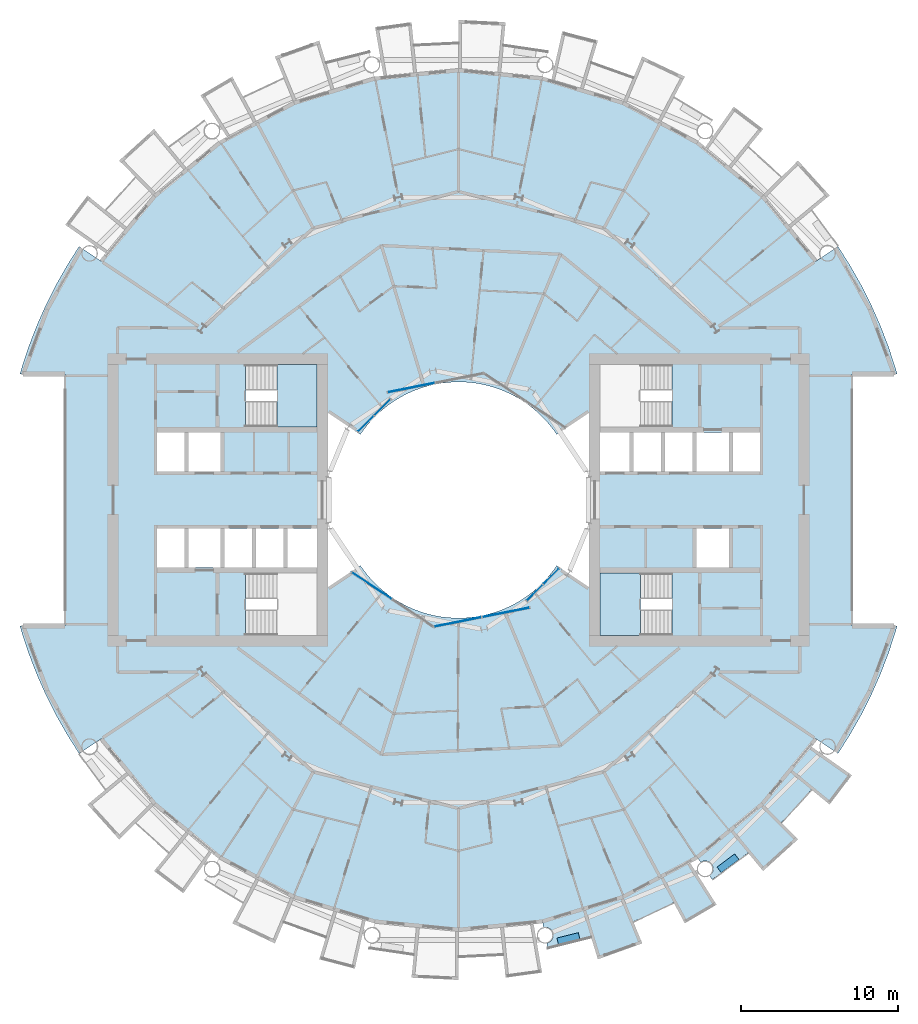
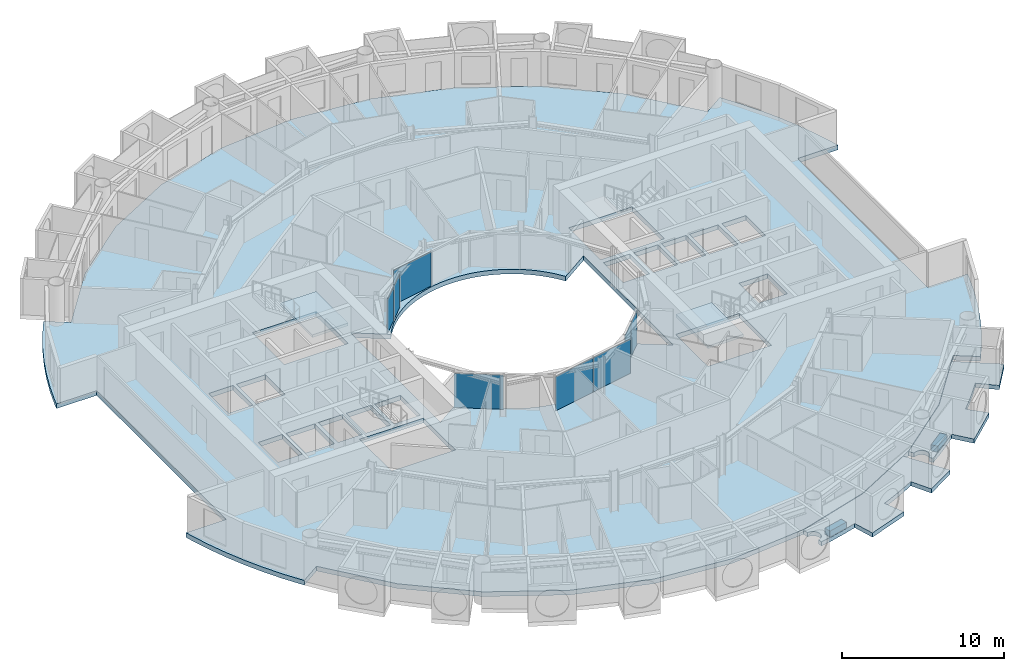
# One storey, part 10 of 26: 8 plates, 7 slabs, 7 elements without a shape of their own.
"""IFC4 building model written with IfcOpenShell, lengths in metres."""

from ifc_helpers import new_model, si_unit, direction, frame, origin, origin_2d, place, context, subcontext, project, spatial, polyline, rectangle, outline, extrude, material, layer, layer_set, type_object, element, aggregate, save


model = new_model("IFC4")

# Units and contexts
model_context = context("Model", 3, precision=1e-05, world=origin(), true_north=direction((0.0, 1.0)))
body_context = subcontext(model_context, "Body", "Model", "MODEL_VIEW")
ifc_project = project(units=[si_unit("LENGTHUNIT", "METRE"), si_unit("AREAUNIT", "SQUARE_METRE"), si_unit("VOLUMEUNIT", "CUBIC_METRE"), si_unit("PLANEANGLEUNIT", "RADIAN"), si_unit("MASSUNIT", "GRAM", prefix="KILO")], contexts=[model_context])

# Site, building, storey
site_placement = place(None, origin())
site = spatial("IfcSite", under=ifc_project, at=site_placement, CompositionType="ELEMENT")
building_placement = place(site_placement, origin())
building = spatial("IfcBuilding", under=site, at=building_placement, Name="Maasbend Ring Residences", CompositionType="ELEMENT")
storey_placement = place(building_placement, frame((0.0, 0.0, 84.949951171875)))
storey = spatial("IfcBuildingStorey", under=building, at=storey_placement, Name="L24", CompositionType="ELEMENT", Elevation=84.949951171875)

# Stair, slab
ifc_material_1 = material(Name="Concrete C40/50", Category="concrete")
stair_type = type_object("IfcStairType", Name="CORE STAIR 18 RISERS", PredefinedType="HALF_TURN_STAIR", material=ifc_material_1)
stair_1_placement = place(storey_placement, origin())
stair_1 = element("IfcStair", 1, at=stair_1_placement, inside=storey, type_object=stair_type, Name="L24 Exit stair ST-E2", PredefinedType="HALF_TURN_STAIR")
ifc_material_2 = material(Name="Concrete C40/50", Category="concrete")
ifc_layer_1 = layer(ifc_material_2, 0.199951171875)
ifc_layer_set_1 = layer_set([ifc_layer_1], Name="Concrete C40/50")
slab_type_1 = type_object("IfcSlabType", Name="CORE STAIR LANDING 200", PredefinedType="LANDING", material=ifc_layer_set_1)
slab_1_placement = place(storey_placement, frame((0.0, 0.0, 1.324951171875)))
slab_1 = element("IfcSlab", 2, at=slab_1_placement, type_object=slab_type_1, Name="ST-E2 landing 1", PredefinedType="LANDING", context=body_context, shape_type="SweptSolid", body=[
    extrude(outline(polyline([(11.550048828125, -4.64990234375), (9.0, -4.64990234375), (9.0, -8.60009765625), (11.550048828125, -8.60009765625), (11.550048828125, -4.64990234375)])), origin(), (0.0, 0.0, 1.0), 0.2001953125),
])
aggregate(stair_1, [slab_1])

stair_2_placement = place(storey_placement, origin())
stair_2 = element("IfcStair", 3, at=stair_2_placement, inside=storey, type_object=stair_type, Name="L24 Exit stair ST-W2", PredefinedType="HALF_TURN_STAIR")
slab_2_placement = place(storey_placement, frame((0.0, 0.0, 1.324951171875)))
slab_2 = element("IfcSlab", 4, at=slab_2_placement, type_object=slab_type_1, Name="ST-W2 landing 1", PredefinedType="LANDING", context=body_context, shape_type="SweptSolid", body=[
    extrude(outline(polyline([(-11.550048828125, 4.64990234375), (-9.0, 4.64990234375), (-9.0, 8.60009765625), (-11.550048828125, 8.60009765625), (-11.550048828125, 4.64990234375)])), origin(), (0.0, 0.0, 1.0), 0.2001953125),
])
aggregate(stair_2, [slab_2])

# Curtain wall, plate
ifc_material_3 = material(Name="Aluminium and clear glass", Category="aluminium")
ifc_layer_2 = layer(ifc_material_3, 0.179931640625)
ifc_layer_set_2 = layer_set([ifc_layer_2], Name="CW-W")
curtain_wall_type = type_object("IfcCurtainWallType", Name="CW-W", PredefinedType="NOTDEFINED", material=ifc_layer_set_2)
curtain_wall_1_placement = place(storey_placement, origin())
curtain_wall_1 = element("IfcCurtainWall", 5, at=curtain_wall_1_placement, inside=storey, type_object=curtain_wall_type, Name="Well curtain wall N2", PredefinedType="NOTDEFINED")
ifc_material_4 = material(Name="Glass clear laminated", Category="glass")
ifc_layer_3 = layer(ifc_material_4, 0.031982421875)
ifc_layer_set_3 = layer_set([ifc_layer_3], Name="CWP-W")
plate_type = type_object("IfcPlateType", Name="CWP-W", PredefinedType="CURTAIN_PANEL", material=ifc_layer_set_3)
plate_1_placement = place(storey_placement, frame((-3.0078125, 7.140380859375, 0.0), z_axis=(0.0, 0.0, 1.0), x_axis=(-0.980785280403, -0.195090322016, 0.0)))
plate_1 = element("IfcPlate", 6, at=plate_1_placement, type_object=plate_type, Name="Glass panel well face", PredefinedType="CURTAIN_PANEL", context=body_context, shape_type="SweptSolid", body=[
    extrude(rectangle(XDim=3.053955078125, YDim=0.031982421875, at=origin_2d()), origin(), (0.0, 0.0, 1.0), 2.580078125),
])
aggregate(curtain_wall_1, [plate_1])

# Curtain wall, plates
curtain_wall_2_placement = place(storey_placement, origin())
curtain_wall_2 = element("IfcCurtainWall", 7, at=curtain_wall_2_placement, inside=storey, type_object=curtain_wall_type, Name="Well curtain wall N3", PredefinedType="NOTDEFINED")
plate_2_placement = place(storey_placement, frame((-4.84375, 5.89013671875, 0.0), z_axis=(0.0, 0.0, 1.0), x_axis=(-0.707106781187, -0.707106781187, 0.0)))
plate_2 = element("IfcPlate", 8, at=plate_2_placement, type_object=plate_type, Name="Glass panel well face", PredefinedType="CURTAIN_PANEL", context=body_context, shape_type="SweptSolid", body=[
    extrude(rectangle(XDim=1.419677734375, YDim=0.031982421875, at=origin_2d()), origin(), (0.0, 0.0, 1.0), 2.580078125),
])
plate_3_placement = place(storey_placement, frame((-5.89013671875, 4.84375, 0.0), z_axis=(0.0, 0.0, 1.0), x_axis=(-0.707106781187, -0.707106781187, 0.0)))
plate_3 = element("IfcPlate", 9, at=plate_3_placement, type_object=plate_type, Name="Glass panel well face", PredefinedType="CURTAIN_PANEL", context=body_context, shape_type="SweptSolid", body=[
    extrude(rectangle(XDim=1.419677734375, YDim=0.031982421875, at=origin_2d()), origin(), (0.0, 0.0, 1.0), 2.580078125),
])
aggregate(curtain_wall_2, [plate_2, plate_3])

# Curtain wall, plate
curtain_wall_3_placement = place(storey_placement, origin())
curtain_wall_3 = element("IfcCurtainWall", 10, at=curtain_wall_3_placement, inside=storey, type_object=curtain_wall_type, Name="Well curtain wall S1", PredefinedType="NOTDEFINED")
plate_4_placement = place(storey_placement, frame((-5.51123046875, -5.44580078125, 0.0), z_axis=(0.0, 0.0, 1.0), x_axis=(0.831469612303, -0.55557023302, 0.0)))
plate_4 = element("IfcPlate", 11, at=plate_4_placement, type_object=plate_type, Name="Glass panel well face", PredefinedType="CURTAIN_PANEL", context=body_context, shape_type="SweptSolid", body=[
    extrude(rectangle(XDim=3.053955078125, YDim=0.031982421875, at=origin_2d()), origin(), (0.0, 0.0, 1.0), 2.580078125),
])
aggregate(curtain_wall_3, [plate_4])

# Curtain wall, plates
curtain_wall_4_placement = place(storey_placement, origin())
curtain_wall_4 = element("IfcCurtainWall", 12, at=curtain_wall_4_placement, inside=storey, type_object=curtain_wall_type, Name="Well curtain wall S2", PredefinedType="NOTDEFINED")
plate_5_placement = place(storey_placement, frame((-0.04638671875, -7.747802734375, 0.0), z_axis=(0.0, 0.0, 1.0), x_axis=(0.980785280403, 0.195090322016, 0.0)))
plate_5 = element("IfcPlate", 13, at=plate_5_placement, type_object=plate_type, Name="Glass panel well face", PredefinedType="CURTAIN_PANEL", context=body_context, shape_type="SweptSolid", body=[
    extrude(rectangle(XDim=3.053955078125, YDim=0.031982421875, at=origin_2d()), origin(), (0.0, 0.0, 1.0), 2.580078125),
])
plate_6_placement = place(storey_placement, frame((3.0078125, -7.140380859375, 0.0), z_axis=(0.0, 0.0, 1.0), x_axis=(0.980785280403, 0.195090322016, 0.0)))
plate_6 = element("IfcPlate", 14, at=plate_6_placement, type_object=plate_type, Name="Glass panel well face", PredefinedType="CURTAIN_PANEL", context=body_context, shape_type="SweptSolid", body=[
    extrude(rectangle(XDim=3.053955078125, YDim=0.031982421875, at=origin_2d()), origin(), (0.0, 0.0, 1.0), 2.580078125),
])
aggregate(curtain_wall_4, [plate_5, plate_6])

curtain_wall_5_placement = place(storey_placement, origin())
curtain_wall_5 = element("IfcCurtainWall", 15, at=curtain_wall_5_placement, inside=storey, type_object=curtain_wall_type, Name="Well curtain wall S3", PredefinedType="NOTDEFINED")
plate_7_placement = place(storey_placement, frame((4.84375, -5.89013671875, 0.0), z_axis=(0.0, 0.0, 1.0), x_axis=(0.707106781187, 0.707106781187, 0.0)))
plate_7 = element("IfcPlate", 16, at=plate_7_placement, type_object=plate_type, Name="Glass panel well face", PredefinedType="CURTAIN_PANEL", context=body_context, shape_type="SweptSolid", body=[
    extrude(rectangle(XDim=1.419677734375, YDim=0.031982421875, at=origin_2d()), origin(), (0.0, 0.0, 1.0), 2.580078125),
])
plate_8_placement = place(storey_placement, frame((5.89013671875, -4.84375, 0.0), z_axis=(0.0, 0.0, 1.0), x_axis=(0.707106781187, 0.707106781187, 0.0)))
plate_8 = element("IfcPlate", 17, at=plate_8_placement, type_object=plate_type, Name="Glass panel well face", PredefinedType="CURTAIN_PANEL", context=body_context, shape_type="SweptSolid", body=[
    extrude(rectangle(XDim=1.419677734375, YDim=0.031982421875, at=origin_2d()), origin(), (0.0, 0.0, 1.0), 2.580078125),
])
aggregate(curtain_wall_5, [plate_7, plate_8])

# Slabs
ifc_material_5 = material(Name="Planting with climbing greenery")
ifc_layer_4 = layer(ifc_material_5, 0.449951171875)
ifc_layer_set_4 = layer_set([ifc_layer_4], Name="PLANTER-LG")
slab_type_2 = type_object("IfcSlabType", Name="PLANTER-LG", PredefinedType="USERDEFINED", material=ifc_layer_set_4)
slab_3_placement = place(storey_placement, frame((0.0, 0.0, -0.030029296875)))
element("IfcSlab", 18, at=slab_3_placement, inside=storey, type_object=slab_type_2, Name="Planter with climbing greenery 4", ObjectType="PLANTER", PredefinedType="USERDEFINED", context=body_context, shape_type="SweptSolid", body=[
    extrude(outline(polyline([(6.35888671875, -28.26708984375), (7.717041015625, -27.927001953125), (7.60791015625, -27.489990234375), (6.25, -27.8310546875), (6.35888671875, -28.26708984375)])), origin(), (0.0, 0.0, 1.0), 0.4501953125),
])
slab_4_placement = place(storey_placement, frame((0.0, 0.0, -0.030029296875)))
element("IfcSlab", 19, at=slab_4_placement, inside=storey, type_object=slab_type_2, Name="Planter with climbing greenery 5", ObjectType="PLANTER", PredefinedType="USERDEFINED", context=body_context, shape_type="SweptSolid", body=[
    extrude(outline(polyline([(16.69189453125, -23.681884765625), (17.81689453125, -22.847900390625), (17.549072265625, -22.487060546875), (16.424072265625, -23.321044921875), (16.69189453125, -23.681884765625)])), origin(), (0.0, 0.0, 1.0), 0.4501953125),
])
ifc_material_6 = material(Name="Concrete C40/50", Category="concrete")
ifc_layer_5 = layer(ifc_material_6, 0.35009765625)
ifc_layer_set_5 = layer_set([ifc_layer_5], Name="Concrete C40/50")
slab_type_3 = type_object("IfcSlabType", Name="Post-tensioned flat plate 350", PredefinedType="FLOOR", material=ifc_layer_set_5)
slab_5_placement = place(storey_placement, frame((0.0, 0.0, -0.349853515625)))
element("IfcSlab", 20, at=slab_5_placement, inside=storey, type_object=slab_type_3, Name="Floor slab L24", PredefinedType="FLOOR", context=body_context, shape_type="SweptSolid", body=[
    extrude(outline(polyline([(24.8740234375, -14.908935546875), (25.57568359375, -13.67041015625), (26.2158203125, -12.399169921875), (26.79248046875, -11.097900390625), (27.3046875, -9.769775390625), (27.751220703125, -8.418212890625), (27.866943359375, -8.0), (25.0, -8.0), (25.0, 8.0), (27.866943359375, 8.0), (27.751220703125, 8.418212890625), (27.3046875, 9.769775390625), (26.79248046875, 11.097900390625), (26.2158203125, 12.399169921875), (25.57568359375, 13.67041015625), (24.8740234375, 14.908935546875), (24.112548828125, 16.111572265625), (22.69921875, 15.1669921875), (19.303955078125, 19.303955078125), (15.1669921875, 22.69921875), (10.447265625, 25.221923828125), (5.325927734375, 26.775390625), (0.0, 27.300048828125), (-5.325927734375, 26.775390625), (-10.447265625, 25.221923828125), (-15.1669921875, 22.69921875), (-19.303955078125, 19.303955078125), (-22.69921875, 15.1669921875), (-24.112548828125, 16.111572265625), (-24.8740234375, 14.908935546875), (-25.57568359375, 13.67041015625), (-26.2158203125, 12.399169921875), (-26.79248046875, 11.097900390625), (-27.3046875, 9.769775390625), (-27.751220703125, 8.418212890625), (-27.866943359375, 8.0), (-25.0, 8.0), (-25.0, -8.0), (-27.866943359375, -8.0), (-27.751220703125, -8.418212890625), (-27.3046875, -9.769775390625), (-26.79248046875, -11.097900390625), (-26.2158203125, -12.399169921875), (-25.57568359375, -13.67041015625), (-24.8740234375, -14.908935546875), (-24.112548828125, -16.111572265625), (-22.69921875, -15.1669921875), (-19.303955078125, -19.303955078125), (-15.1669921875, -22.69921875), (-10.447265625, -25.221923828125), (-5.325927734375, -26.775390625), (0.0, -27.300048828125), (5.325927734375, -26.775390625), (10.447265625, -25.221923828125), (15.1669921875, -22.69921875), (19.303955078125, -19.303955078125), (22.69921875, -15.1669921875), (24.112548828125, -16.111572265625), (24.8740234375, -14.908935546875)]), holes=[polyline([(17.425048828125, 4.27490234375), (19.14990234375, 4.27490234375), (19.14990234375, 1.824951171875), (17.425048828125, 1.824951171875), (17.425048828125, 4.27490234375)]), polyline([(15.125, 1.824951171875), (15.125, 4.27490234375), (17.175048828125, 4.27490234375), (17.175048828125, 1.824951171875), (15.125, 1.824951171875)]), polyline([(15.125, -4.27490234375), (15.125, -1.824951171875), (17.175048828125, -1.824951171875), (17.175048828125, -4.27490234375), (15.125, -4.27490234375)]), polyline([(13.125, 1.824951171875), (13.125, 4.27490234375), (14.875, 4.27490234375), (14.875, 1.824951171875), (13.125, 1.824951171875)]), polyline([(13.550048828125, 4.64990234375), (9.0, 4.64990234375), (9.0, 8.60009765625), (13.550048828125, 8.60009765625), (13.550048828125, 4.64990234375)]), polyline([(13.550048828125, -4.64990234375), (13.550048828125, -8.60009765625), (9.0, -8.60009765625), (9.0, -4.64990234375), (13.550048828125, -4.64990234375)]), polyline([(11.125, 1.824951171875), (11.125, 4.27490234375), (12.875, 4.27490234375), (12.875, 1.824951171875), (11.125, 1.824951171875)]), polyline([(9.0, 1.824951171875), (9.0, 4.27490234375), (10.875, 4.27490234375), (10.875, 1.824951171875), (9.0, 1.824951171875)]), polyline([(6.024169921875, 4.4677734375), (6.236083984375, 4.166748046875), (8.300048828125, 5.5458984375), (8.300048828125, -5.5458984375), (6.236083984375, -4.166748046875), (6.024169921875, -4.4677734375), (5.797607421875, -4.7578125), (5.55712890625, -5.03662109375), (5.30322265625, -5.30322265625), (5.03662109375, -5.55712890625), (4.7578125, -5.797607421875), (4.4677734375, -6.024169921875), (4.166748046875, -6.236083984375), (3.855712890625, -6.43310546875), (3.535400390625, -6.614501953125), (3.206787109375, -6.77978515625), (2.8701171875, -6.92919921875), (2.526611328125, -7.0615234375), (2.177001953125, -7.177001953125), (1.822509765625, -7.275146484375), (1.463134765625, -7.35595703125), (1.1005859375, -7.418701171875), (0.735107421875, -7.4638671875), (0.367919921875, -7.490966796875), (0.0, -7.5), (-0.367919921875, -7.490966796875), (-0.735107421875, -7.4638671875), (-1.1005859375, -7.418701171875), (-1.463134765625, -7.35595703125), (-1.822509765625, -7.275146484375), (-2.177001953125, -7.177001953125), (-2.526611328125, -7.0615234375), (-2.8701171875, -6.92919921875), (-3.206787109375, -6.77978515625), (-3.535400390625, -6.614501953125), (-3.855712890625, -6.43310546875), (-4.166748046875, -6.236083984375), (-4.4677734375, -6.024169921875), (-4.7578125, -5.797607421875), (-5.03662109375, -5.55712890625), (-5.30322265625, -5.30322265625), (-5.55712890625, -5.03662109375), (-5.797607421875, -4.7578125), (-6.024169921875, -4.4677734375), (-6.236083984375, -4.166748046875), (-8.300048828125, -5.5458984375), (-8.300048828125, 5.5458984375), (-6.236083984375, 4.166748046875), (-6.236083984375, 4.166748046875), (-6.024169921875, 4.4677734375), (-5.797607421875, 4.7578125), (-5.55712890625, 5.03662109375), (-5.30322265625, 5.30322265625), (-5.03662109375, 5.55712890625), (-4.7578125, 5.797607421875), (-4.4677734375, 6.024169921875), (-4.166748046875, 6.236083984375), (-3.855712890625, 6.43310546875), (-3.535400390625, 6.614501953125), (-3.206787109375, 6.77978515625), (-2.8701171875, 6.92919921875), (-2.526611328125, 7.0615234375), (-2.177001953125, 7.177001953125), (-1.822509765625, 7.275146484375), (-1.463134765625, 7.35595703125), (-1.1005859375, 7.418701171875), (-0.735107421875, 7.4638671875), (-0.367919921875, 7.490966796875), (0.0, 7.5), (0.367919921875, 7.490966796875), (0.735107421875, 7.4638671875), (1.1005859375, 7.418701171875), (1.463134765625, 7.35595703125), (1.822509765625, 7.275146484375), (2.177001953125, 7.177001953125), (2.526611328125, 7.0615234375), (2.8701171875, 6.92919921875), (3.206787109375, 6.77978515625), (3.535400390625, 6.614501953125), (3.855712890625, 6.43310546875), (4.166748046875, 6.236083984375), (4.4677734375, 6.024169921875), (4.7578125, 5.797607421875), (5.03662109375, 5.55712890625), (5.30322265625, 5.30322265625), (5.55712890625, 5.03662109375), (5.797607421875, 4.7578125), (6.024169921875, 4.4677734375)]), polyline([(-13.550048828125, 4.64990234375), (-13.550048828125, 8.60009765625), (-9.0, 8.60009765625), (-9.0, 4.64990234375), (-13.550048828125, 4.64990234375)]), polyline([(-13.550048828125, -8.60009765625), (-13.550048828125, -4.64990234375), (-9.0, -4.64990234375), (-9.0, -8.60009765625), (-13.550048828125, -8.60009765625)]), polyline([(-9.0, -1.824951171875), (-9.0, -4.27490234375), (-10.875, -4.27490234375), (-10.875, -1.824951171875), (-9.0, -1.824951171875)]), polyline([(-11.125, -1.824951171875), (-11.125, -4.27490234375), (-12.875, -4.27490234375), (-12.875, -1.824951171875), (-11.125, -1.824951171875)]), polyline([(-13.125, -1.824951171875), (-13.125, -4.27490234375), (-14.875, -4.27490234375), (-14.875, -1.824951171875), (-13.125, -1.824951171875)]), polyline([(-15.125, 4.27490234375), (-15.125, 1.824951171875), (-17.175048828125, 1.824951171875), (-17.175048828125, 4.27490234375), (-15.125, 4.27490234375)]), polyline([(-15.125, -1.824951171875), (-15.125, -4.27490234375), (-17.175048828125, -4.27490234375), (-17.175048828125, -1.824951171875), (-15.125, -1.824951171875)]), polyline([(-17.425048828125, -1.824951171875), (-17.425048828125, -4.27490234375), (-19.14990234375, -4.27490234375), (-19.14990234375, -1.824951171875), (-17.425048828125, -1.824951171875)]), polyline([(-17.425048828125, 4.27490234375), (-17.425048828125, 1.824951171875), (-19.14990234375, 1.824951171875), (-19.14990234375, 4.27490234375), (-17.425048828125, 4.27490234375)])]), origin(), (0.0, 0.0, 1.0), 0.349853515625),
])
ifc_material_7 = material(Name="Concrete C40/50", Category="concrete")
ifc_layer_6 = layer(ifc_material_7, 0.199951171875)
ifc_layer_set_6 = layer_set([ifc_layer_6], Name="Concrete C40/50")
slab_type_4 = type_object("IfcSlabType", Name="SL-LOGGIA", PredefinedType="FLOOR", material=ifc_layer_set_6)
slab_6_placement = place(storey_placement, frame((0.0, 0.0, -0.349853515625)))
element("IfcSlab", 21, at=slab_6_placement, inside=storey, type_object=slab_type_4, Name="Loggia floor 2", PredefinedType="FLOOR", context=body_context, shape_type="SweptSolid", body=[
    extrude(outline(polyline([(10.447021484375, -25.221923828125), (12.806884765625, -23.9609375), (14.64599609375, -22.97705078125), (14.64599609375, -22.97705078125), (14.64599609375, -22.97705078125), (16.39404296875, -25.718994140625), (16.39404296875, -25.718994140625), (16.39404296875, -25.718994140625), (14.3779296875, -26.89892578125), (14.3779296875, -26.89892578125), (14.3779296875, -26.89892578125), (13.6708984375, -25.575927734375), (13.6708984375, -25.575927734375), (13.6708984375, -25.575927734375), (13.6708984375, -25.575927734375), (13.6708984375, -25.575927734375), (13.6708984375, -25.575927734375), (13.6708984375, -25.575927734375), (13.669921875, -25.575927734375), (13.669921875, -25.575927734375), (13.669921875, -25.575927734375), (13.669921875, -25.575927734375), (13.669921875, -25.575927734375), (13.669921875, -25.575927734375), (13.669921875, -25.575927734375), (13.669921875, -25.575927734375), (13.669921875, -25.575927734375), (13.669921875, -25.575927734375), (12.825927734375, -26.009033203125), (12.825927734375, -26.009033203125), (11.968994140625, -26.4150390625), (11.968994140625, -26.4150390625), (11.097900390625, -26.7919921875), (11.097900390625, -26.7919921875), (11.097900390625, -26.7919921875), (11.097900390625, -26.7919921875), (11.097900390625, -26.7919921875), (11.097900390625, -26.7919921875), (11.097900390625, -26.7919921875), (11.097900390625, -26.79296875), (11.097900390625, -26.79296875), (11.097900390625, -26.79296875), (11.097900390625, -26.79296875), (11.097900390625, -26.79296875), (11.097900390625, -26.79296875), (11.097900390625, -26.79296875), (11.097900390625, -26.79296875), (11.097900390625, -26.79296875), (11.097900390625, -26.79296875), (11.672119140625, -28.177978515625), (11.672119140625, -28.177978515625), (11.672119140625, -28.177978515625), (8.85400390625, -29.18701171875), (8.85400390625, -29.18701171875), (8.85400390625, -29.18701171875), (8.41796875, -27.751953125), (8.41796875, -27.751953125), (8.41796875, -27.751953125), (8.41796875, -27.751953125), (8.41796875, -27.751953125), (8.41796875, -27.751953125), (8.41796875, -27.751953125), (8.41796875, -27.7509765625), (8.41796875, -27.7509765625), (8.41796875, -27.7509765625), (8.41796875, -27.7509765625), (8.41796875, -27.7509765625), (8.41796875, -27.7509765625), (8.41796875, -27.7509765625), (8.41796875, -27.7509765625), (8.41796875, -27.7509765625), (8.41796875, -27.7509765625), (7.506103515625, -28.011962890625), (7.506103515625, -28.011962890625), (6.5849609375, -28.241943359375), (6.5849609375, -28.241943359375), (5.657958984375, -28.443115234375), (5.657958984375, -28.443115234375), (5.657958984375, -28.443115234375), (5.60107421875, -28.156005859375), (5.613037109375, -28.154052734375), (5.625, -28.15087890625), (5.636962890625, -28.14794921875), (5.64892578125, -28.14404296875), (5.660888671875, -28.139892578125), (5.673095703125, -28.135986328125), (5.68408203125, -28.132080078125), (5.696044921875, -28.126953125), (5.70703125, -28.123046875), (5.718994140625, -28.116943359375), (5.72998046875, -28.112060546875), (5.740966796875, -28.10595703125), (5.751953125, -28.10009765625), (5.762939453125, -28.093994140625), (5.77294921875, -28.0869140625), (5.783935546875, -28.080078125), (5.7939453125, -28.072998046875), (5.803955078125, -28.06591796875), (5.81396484375, -28.05908203125), (5.823974609375, -28.051025390625), (5.8330078125, -28.04296875), (5.843017578125, -28.034912109375), (5.85205078125, -28.02587890625), (5.861083984375, -28.01708984375), (5.868896484375, -28.008056640625), (5.8779296875, -27.9990234375), (5.885986328125, -27.989990234375), (5.89404296875, -27.97998046875), (5.902099609375, -27.970947265625), (5.909912109375, -27.9609375), (5.9169921875, -27.950927734375), (5.924072265625, -27.93994140625), (5.930908203125, -27.929931640625), (5.93701171875, -27.9189453125), (5.944091796875, -27.907958984375), (5.949951171875, -27.89794921875), (5.955078125, -27.886962890625), (5.9609375, -27.875), (5.966064453125, -27.864013671875), (5.970947265625, -27.85302734375), (5.97509765625, -27.841064453125), (5.97998046875, -27.8291015625), (5.98388671875, -27.81689453125), (5.988037109375, -27.805908203125), (5.990966796875, -27.7939453125), (5.993896484375, -27.781982421875), (5.9970703125, -27.76904296875), (6.0, -27.757080078125), (6.001953125, -27.7451171875), (6.00390625, -27.73291015625), (6.006103515625, -27.719970703125), (6.007080078125, -27.7080078125), (6.008056640625, -27.695068359375), (6.009033203125, -27.68310546875), (6.009033203125, -27.6708984375), (6.010009765625, -27.657958984375), (6.009033203125, -27.64599609375), (6.009033203125, -27.633056640625), (6.008056640625, -27.62109375), (6.007080078125, -27.60791015625), (6.006103515625, -27.595947265625), (6.00390625, -27.583984375), (6.001953125, -27.571044921875), (6.0, -27.55908203125), (5.9970703125, -27.547119140625), (5.993896484375, -27.534912109375), (5.990966796875, -27.52294921875), (5.988037109375, -27.510986328125), (5.98388671875, -27.4990234375), (5.97998046875, -27.487060546875), (5.97509765625, -27.47509765625), (5.970947265625, -27.464111328125), (5.966064453125, -27.451904296875), (5.9609375, -27.44091796875), (5.955078125, -27.429931640625), (5.949951171875, -27.4189453125), (5.944091796875, -27.407958984375), (5.93701171875, -27.39697265625), (5.930908203125, -27.385986328125), (5.924072265625, -27.3759765625), (5.9169921875, -27.365966796875), (5.909912109375, -27.35498046875), (5.902099609375, -27.345947265625), (5.89404296875, -27.3359375), (5.885986328125, -27.325927734375), (5.8779296875, -27.31689453125), (5.868896484375, -27.30810546875), (5.861083984375, -27.299072265625), (5.85205078125, -27.2900390625), (5.843017578125, -27.281982421875), (5.8330078125, -27.27294921875), (5.823974609375, -27.264892578125), (5.81396484375, -27.258056640625), (5.803955078125, -27.25), (5.7939453125, -27.242919921875), (5.783935546875, -27.236083984375), (5.77294921875, -27.22900390625), (5.762939453125, -27.221923828125), (5.751953125, -27.216064453125), (5.740966796875, -27.2099609375), (5.72998046875, -27.2041015625), (5.718994140625, -27.198974609375), (5.70703125, -27.194091796875), (5.696044921875, -27.18896484375), (5.68408203125, -27.18408203125), (5.673095703125, -27.179931640625), (5.660888671875, -27.176025390625), (5.64892578125, -27.172119140625), (5.636962890625, -27.1689453125), (5.625, -27.1650390625), (5.613037109375, -27.162109375), (5.60107421875, -27.159912109375), (5.587890625, -27.157958984375), (5.575927734375, -27.156005859375), (5.56396484375, -27.154052734375), (5.551025390625, -27.153076171875), (5.5390625, -27.15087890625), (5.52587890625, -27.15087890625), (5.513916015625, -27.14990234375), (5.501953125, -27.14990234375), (5.489013671875, -27.14990234375), (5.47705078125, -27.15087890625), (5.464111328125, -27.15087890625), (5.451904296875, -27.153076171875), (5.43896484375, -27.154052734375), (5.427001953125, -27.156005859375), (5.4150390625, -27.157958984375), (5.402099609375, -27.159912109375), (5.325927734375, -26.77490234375), (5.325927734375, -26.77490234375), (5.325927734375, -26.77490234375), (7.886962890625, -25.9990234375), (10.447021484375, -25.221923828125), (10.447021484375, -25.221923828125), (10.447021484375, -25.221923828125)])), origin(), (0.0, 0.0, 1.0), 0.31982421875),
])
slab_7_placement = place(storey_placement, frame((0.0, 0.0, -0.349853515625)))
element("IfcSlab", 22, at=slab_7_placement, inside=storey, type_object=slab_type_4, Name="Loggia floor 5", PredefinedType="FLOOR", context=body_context, shape_type="SweptSolid", body=[
    extrude(outline(polyline([(19.303955078125, -19.303955078125), (21.001953125, -17.236083984375), (22.324951171875, -15.623046875), (22.324951171875, -15.623046875), (22.324951171875, -15.623046875), (24.989013671875, -17.488037109375), (24.989013671875, -17.488037109375), (24.989013671875, -17.488037109375), (23.576904296875, -19.34912109375), (23.576904296875, -19.34912109375), (23.576904296875, -19.34912109375), (22.41796875, -18.39794921875), (22.41796875, -18.39794921875), (22.41796875, -18.39794921875), (22.41796875, -18.39794921875), (22.41796875, -18.39794921875), (22.4169921875, -18.39794921875), (22.4169921875, -18.39794921875), (22.4169921875, -18.39794921875), (22.4169921875, -18.39794921875), (22.4169921875, -18.39794921875), (22.4169921875, -18.39794921875), (22.4169921875, -18.39794921875), (22.4169921875, -18.39794921875), (22.4169921875, -18.39794921875), (22.4169921875, -18.39794921875), (22.4169921875, -18.39794921875), (22.4169921875, -18.39794921875), (21.802978515625, -19.12109375), (21.802978515625, -19.12109375), (21.166015625, -19.823974609375), (21.166015625, -19.823974609375), (20.506103515625, -20.506103515625), (20.506103515625, -20.506103515625), (20.506103515625, -20.506103515625), (20.506103515625, -20.506103515625), (20.506103515625, -20.506103515625), (20.506103515625, -20.506103515625), (20.506103515625, -20.506103515625), (20.506103515625, -20.506103515625), (20.506103515625, -20.506103515625), (20.506103515625, -20.506103515625), (20.506103515625, -20.506103515625), (20.506103515625, -20.506103515625), (20.506103515625, -20.506103515625), (20.506103515625, -20.506103515625), (20.506103515625, -20.506103515625), (20.506103515625, -20.506103515625), (20.506103515625, -20.506103515625), (21.56689453125, -21.56689453125), (21.56689453125, -21.56689453125), (21.56689453125, -21.56689453125), (19.34912109375, -23.576904296875), (19.34912109375, -23.576904296875), (19.34912109375, -23.576904296875), (18.39794921875, -22.41796875), (18.39794921875, -22.41796875), (18.39794921875, -22.41796875), (18.39794921875, -22.41796875), (18.39794921875, -22.41796875), (18.39794921875, -22.41796875), (18.39697265625, -22.41796875), (18.39697265625, -22.41796875), (18.39697265625, -22.41796875), (18.39697265625, -22.41796875), (18.39697265625, -22.41796875), (18.39697265625, -22.41796875), (18.39697265625, -22.41796875), (18.39697265625, -22.41796875), (18.39697265625, -22.41796875), (18.39697265625, -22.41796875), (18.39697265625, -22.41796875), (17.654052734375, -23.007080078125), (17.654052734375, -23.007080078125), (16.89208984375, -23.572998046875), (16.89208984375, -23.572998046875), (16.112060546875, -24.113037109375), (16.112060546875, -24.113037109375), (16.112060546875, -24.113037109375), (15.948974609375, -23.8701171875), (15.948974609375, -23.8701171875), (15.9599609375, -23.863037109375), (15.969970703125, -23.85498046875), (15.97998046875, -23.847900390625), (15.989013671875, -23.840087890625), (15.9990234375, -23.83203125), (16.008056640625, -23.823974609375), (16.01708984375, -23.81494140625), (16.02587890625, -23.806884765625), (16.034912109375, -23.798095703125), (16.0439453125, -23.7890625), (16.052001953125, -23.779052734375), (16.06005859375, -23.77001953125), (16.068115234375, -23.760009765625), (16.074951171875, -23.75), (16.08203125, -23.739990234375), (16.089111328125, -23.72998046875), (16.095947265625, -23.718994140625), (16.10302734375, -23.708984375), (16.10888671875, -23.697998046875), (16.114990234375, -23.68701171875), (16.12109375, -23.676025390625), (16.1259765625, -23.6650390625), (16.132080078125, -23.653076171875), (16.135986328125, -23.64208984375), (16.14111328125, -23.6298828125), (16.14501953125, -23.618896484375), (16.14892578125, -23.60693359375), (16.153076171875, -23.594970703125), (16.156982421875, -23.5830078125), (16.159912109375, -23.571044921875), (16.1630859375, -23.55908203125), (16.1650390625, -23.547119140625), (16.16796875, -23.533935546875), (16.169921875, -23.52197265625), (16.1708984375, -23.510009765625), (16.173095703125, -23.4970703125), (16.174072265625, -23.485107421875), (16.174072265625, -23.471923828125), (16.175048828125, -23.4599609375), (16.175048828125, -23.447021484375), (16.175048828125, -23.43505859375), (16.174072265625, -23.422119140625), (16.174072265625, -23.409912109375), (16.173095703125, -23.39794921875), (16.1708984375, -23.385009765625), (16.169921875, -23.373046875), (16.16796875, -23.361083984375), (16.1650390625, -23.347900390625), (16.1630859375, -23.3359375), (16.159912109375, -23.323974609375), (16.156982421875, -23.31201171875), (16.153076171875, -23.300048828125), (16.14892578125, -23.2880859375), (16.14501953125, -23.27587890625), (16.14111328125, -23.264892578125), (16.135986328125, -23.2529296875), (16.132080078125, -23.241943359375), (16.1259765625, -23.22998046875), (16.12109375, -23.218994140625), (16.114990234375, -23.2080078125), (16.10888671875, -23.197021484375), (16.10302734375, -23.18603515625), (16.095947265625, -23.176025390625), (16.089111328125, -23.1650390625), (16.08203125, -23.155029296875), (16.074951171875, -23.14501953125), (16.068115234375, -23.135009765625), (16.06005859375, -23.125), (16.052001953125, -23.115966796875), (16.0439453125, -23.10595703125), (16.034912109375, -23.096923828125), (16.02587890625, -23.087890625), (16.01708984375, -23.0791015625), (16.008056640625, -23.071044921875), (15.9990234375, -23.06298828125), (15.989013671875, -23.054931640625), (15.97998046875, -23.047119140625), (15.969970703125, -23.0390625), (15.9599609375, -23.031982421875), (15.948974609375, -23.02490234375), (15.93896484375, -23.01806640625), (15.927978515625, -23.011962890625), (15.9169921875, -23.0048828125), (15.906982421875, -22.9990234375), (15.89599609375, -22.993896484375), (15.884033203125, -22.988037109375), (15.873046875, -22.98291015625), (15.862060546875, -22.97802734375), (15.85009765625, -22.972900390625), (15.837890625, -22.968994140625), (15.825927734375, -22.965087890625), (15.81494140625, -22.9609375), (15.802978515625, -22.9580078125), (15.791015625, -22.955078125), (15.778076171875, -22.951904296875), (15.76611328125, -22.948974609375), (15.75390625, -22.947021484375), (15.741943359375, -22.945068359375), (15.72900390625, -22.943115234375), (15.717041015625, -22.94189453125), (15.7041015625, -22.94091796875), (15.69189453125, -22.93994140625), (15.679931640625, -22.93994140625), (15.6669921875, -22.93896484375), (15.655029296875, -22.93994140625), (15.64208984375, -22.93994140625), (15.6298828125, -22.94091796875), (15.616943359375, -22.94189453125), (15.60498046875, -22.943115234375), (15.593017578125, -22.945068359375), (15.580078125, -22.947021484375), (15.568115234375, -22.948974609375), (15.555908203125, -22.951904296875), (15.5439453125, -22.955078125), (15.531982421875, -22.9580078125), (15.52001953125, -22.9609375), (15.508056640625, -22.965087890625), (15.49609375, -22.968994140625), (15.48388671875, -22.972900390625), (15.472900390625, -22.97802734375), (15.4609375, -22.98291015625), (15.449951171875, -22.988037109375), (15.43896484375, -22.993896484375), (15.427978515625, -22.9990234375), (15.4169921875, -23.0048828125), (15.406005859375, -23.011962890625), (15.39501953125, -23.01806640625), (15.385009765625, -23.02490234375), (15.385009765625, -23.02490234375), (15.1669921875, -22.698974609375), (15.1669921875, -22.698974609375), (15.1669921875, -22.698974609375), (17.236083984375, -21.001953125), (19.303955078125, -19.303955078125), (19.303955078125, -19.303955078125), (19.303955078125, -19.303955078125)])), origin(), (0.0, 0.0, 1.0), 0.31982421875),
])

save(model, "model.ifc")
